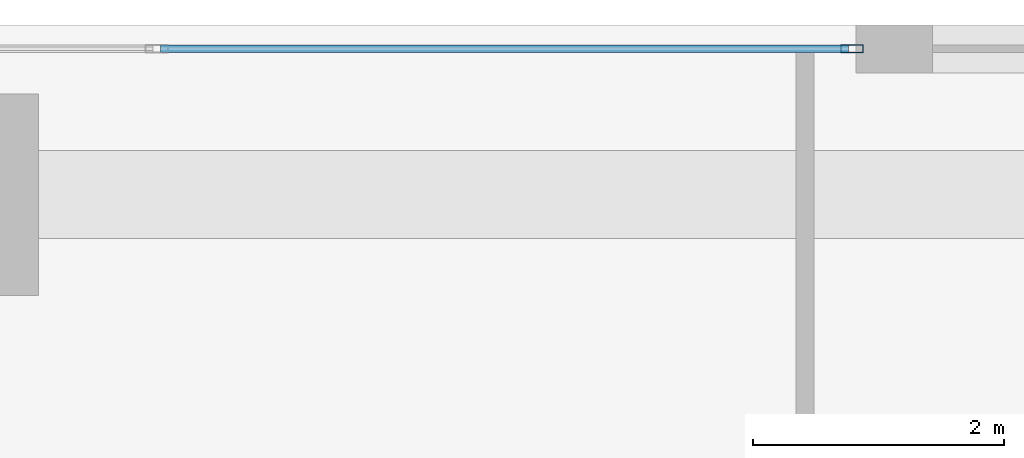
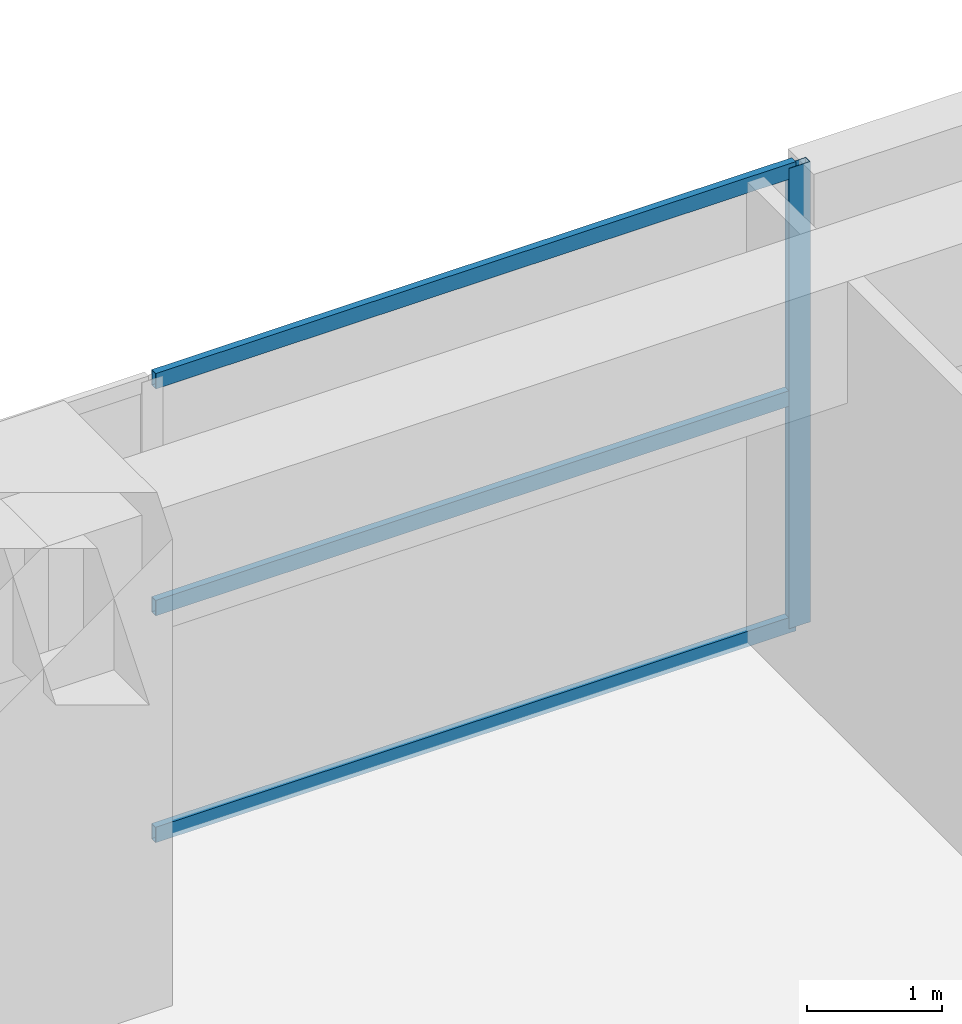
# One storey, part 21 of 39: 4 members, 1 element without a shape of its own.
"""IFC4 building model written with IfcOpenShell, lengths in metres."""

from ifc_helpers import new_model, si_unit, direction, frame, origin, origin_2d, place, context, subcontext, project, spatial, hollow_rectangle, extrude, source, transform, mapped, material, layer, layer_set, material_profile, profile_set, type_object, element, aggregate, save


model = new_model("IFC4")

# Units and contexts
model_context = context("Model", 3, precision=1e-05, world=origin(), true_north=direction((0.0, 1.0)))
body_context = subcontext(model_context, "Body", "Model", "MODEL_VIEW")
ifc_project = project(units=[si_unit("LENGTHUNIT", "METRE"), si_unit("AREAUNIT", "SQUARE_METRE"), si_unit("VOLUMEUNIT", "CUBIC_METRE"), si_unit("PLANEANGLEUNIT", "RADIAN"), si_unit("MASSUNIT", "GRAM", prefix="KILO")], contexts=[model_context])

# Site, building, storey
site_placement = place(None, origin())
site = spatial("IfcSite", under=ifc_project, at=site_placement, CompositionType="ELEMENT")
building_placement = place(site_placement, origin())
building = spatial("IfcBuilding", under=site, at=building_placement, Name="Khoralis Quay Care Tower", CompositionType="ELEMENT")
storey_placement = place(building_placement, origin())
storey = spatial("IfcBuildingStorey", under=building, at=storey_placement, Name="L00", CompositionType="ELEMENT", Elevation=0.0)

# Curtain wall, members
ifc_material = material(Name="Pale anodised aluminium", Category="aluminium")
ifc_layer = layer(ifc_material, 0.179931640625)
ifc_layer_set = layer_set([ifc_layer], Name="Pale anodised aluminium")
curtain_wall_type = type_object("IfcCurtainWallType", Name="CW-SYS-Z1", PredefinedType="NOTDEFINED", material=ifc_layer_set)
curtain_wall_placement = place(storey_placement, origin())
curtain_wall = element("IfcCurtainWall", 1, at=curtain_wall_placement, inside=storey, type_object=curtain_wall_type, Name="L00 Unitised Curtain Wall CW-POD-L00-E4", PredefinedType="NOTDEFINED")
ifc_material_profile_1 = material_profile(ifc_material, hollow_rectangle(XDim=0.06494140625, YDim=0.179931640625, WallThickness=0.00390625, at=origin_2d()), Name="Pale anodised aluminium")
ifc_profile_set_1 = profile_set([ifc_material_profile_1], Name="Pale anodised aluminium")
member_type_1 = type_object("IfcMemberType", Name="CW-MUL-180", PredefinedType="MULLION", material=ifc_profile_set_1)
shared_shape_1 = source(origin(), body_context, "Body", "SweptSolid", [
    extrude(hollow_rectangle(XDim=0.06494140625, YDim=0.179931640625, WallThickness=0.00390625, at=origin_2d()), origin(), (0.0, 0.0, 1.0), 4.159912109375),
])
member_1_placement = place(storey_placement, frame((41.875, 47.81005859375, 0.0), z_axis=(0.0, 0.0, 1.0), x_axis=(0.0, -1.0, 0.0)))
member_1 = element("IfcMember", 2, at=member_1_placement, type_object=member_type_1, Name="CW1 mullion 1", PredefinedType="MULLION", context=body_context, shape_type="MappedRepresentation", body=[
    mapped(shared_shape_1, transform((0.0, 0.0, 0.0), scale=1.0)),
])
ifc_material_profile_2 = material_profile(ifc_material, hollow_rectangle(XDim=0.06005859375, YDim=0.139892578125, WallThickness=0.00390625, at=origin_2d()), Name="Pale anodised aluminium")
ifc_profile_set_2 = profile_set([ifc_material_profile_2], Name="Pale anodised aluminium")
member_type_2 = type_object("IfcMemberType", Name="CW-TRN-140", PredefinedType="USERDEFINED", material=ifc_profile_set_2)
shared_shape_2 = source(origin(), body_context, "Body", "SweptSolid", [
    extrude(hollow_rectangle(XDim=0.06005859375, YDim=0.139892578125, WallThickness=0.00390625, at=origin_2d()), origin(), (0.0, 0.0, 1.0), 5.471923828125),
])
member_2_placement = place(storey_placement, frame((41.844970703125, 47.81005859375, 0.030029296875), z_axis=(-1.0, 0.0, 0.0), x_axis=(0.0, -1.0, 0.0)))
member_2 = element("IfcMember", 3, at=member_2_placement, type_object=member_type_2, Name="CW1 transom 1.1", ObjectType="TRANSOM", PredefinedType="USERDEFINED", context=body_context, shape_type="MappedRepresentation", body=[
    mapped(shared_shape_2, transform((0.0, 0.0, 0.0), scale=1.0)),
])
member_3_placement = place(storey_placement, frame((41.844970703125, 47.81005859375, 2.080078125), z_axis=(-1.0, 0.0, 0.0), x_axis=(0.0, -1.0, 0.0)))
member_3 = element("IfcMember", 4, at=member_3_placement, type_object=member_type_2, Name="CW1 transom 1.2", ObjectType="TRANSOM", PredefinedType="USERDEFINED", context=body_context, shape_type="MappedRepresentation", body=[
    mapped(shared_shape_2, transform((0.0, 0.0, 0.0), scale=1.0)),
])
member_4_placement = place(storey_placement, frame((41.844970703125, 47.81005859375, 4.1298828125), z_axis=(-1.0, 0.0, 0.0), x_axis=(0.0, -1.0, 0.0)))
member_4 = element("IfcMember", 5, at=member_4_placement, type_object=member_type_2, Name="CW1 transom 1.3", ObjectType="TRANSOM", PredefinedType="USERDEFINED", context=body_context, shape_type="MappedRepresentation", body=[
    mapped(shared_shape_2, transform((0.0, 0.0, 0.0), scale=1.0)),
])
aggregate(curtain_wall, [member_1, member_2, member_3, member_4])

save(model, "model.ifc")
